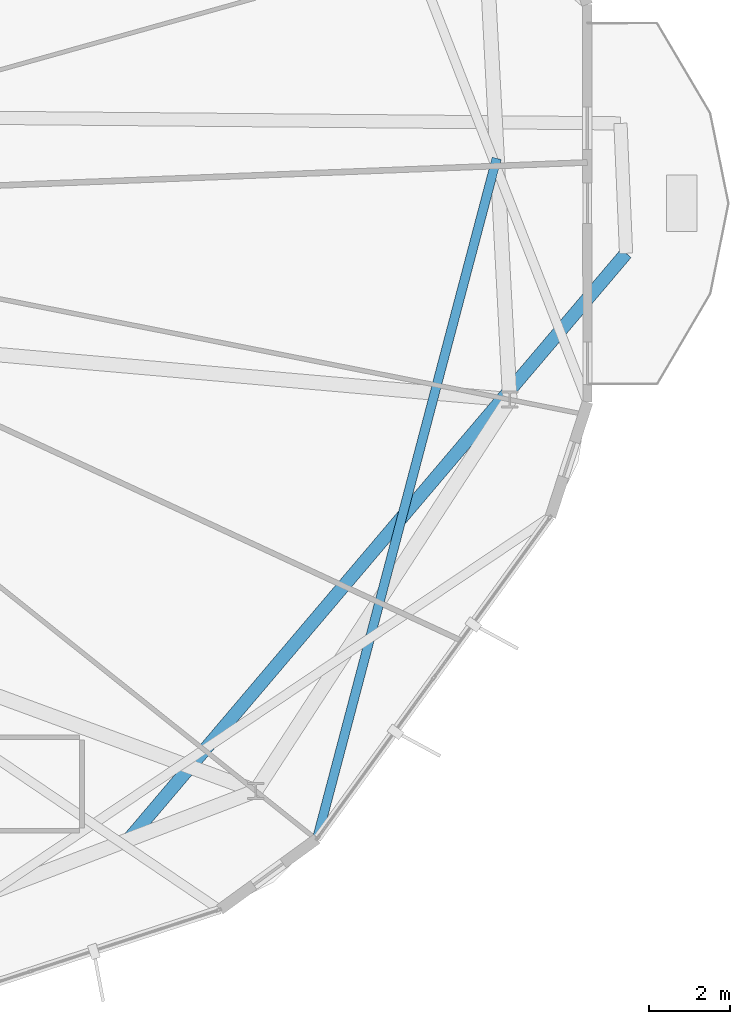
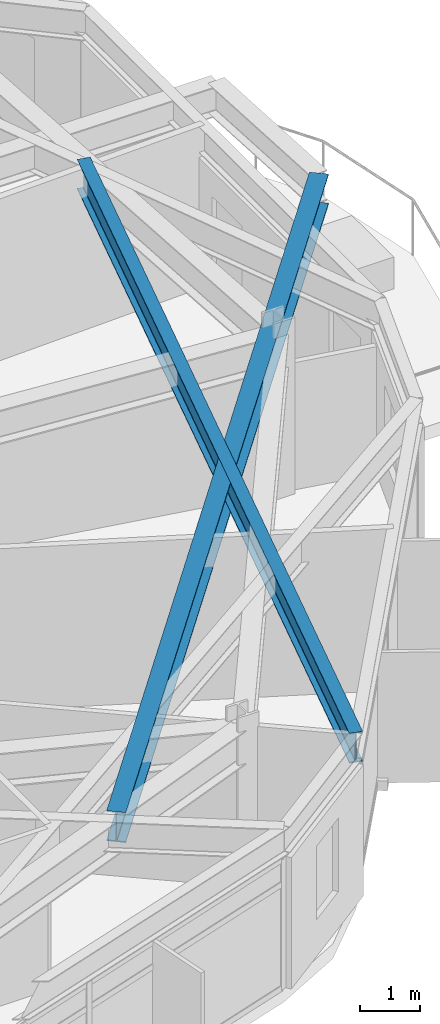
# One storey, part 14 of 31: 2 beams.
"""IFC4 building model written with IfcOpenShell, lengths in metres."""

from ifc_helpers import new_model, si_unit, direction, frame, origin, origin_2d, place, context, subcontext, project, spatial, i_section, extrude, material, material_profile, profile_set, type_object, element, save


model = new_model("IFC4")

# Units and contexts
model_context = context("Model", 3, precision=1e-05, world=origin(), true_north=direction((0.0, 1.0)))
body_context = subcontext(model_context, "Body", "Model", "MODEL_VIEW")
ifc_project = project(units=[si_unit("LENGTHUNIT", "METRE"), si_unit("AREAUNIT", "SQUARE_METRE"), si_unit("VOLUMEUNIT", "CUBIC_METRE"), si_unit("PLANEANGLEUNIT", "RADIAN"), si_unit("MASSUNIT", "GRAM", prefix="KILO")], contexts=[model_context])

# Site, building, storey
site_placement = place(None, origin())
site = spatial("IfcSite", under=ifc_project, at=site_placement, CompositionType="ELEMENT")
building_placement = place(site_placement, origin())
building = spatial("IfcBuilding", under=site, at=building_placement, Name="Soratama Intermodal Tower", CompositionType="ELEMENT")
storey_placement = place(building_placement, frame((0.0, 0.0, 230.199951171875)))
storey = spatial("IfcBuildingStorey", under=building, at=storey_placement, Name="L58", CompositionType="ELEMENT", Elevation=230.199951171875)

# Beams
ifc_material_1 = material(Name="Structural steel ASTM A992 Grade 50", Category="steel")
ifc_material_profile_1 = material_profile(ifc_material_1, i_section(OverallWidth=0.324951171875, OverallDepth=0.615966796875, WebThickness=0.013916015625, FlangeThickness=0.021484375, FilletRadius=0.013916015625, at=origin_2d()), Name="W24X117")
ifc_profile_set_1 = profile_set([ifc_material_profile_1], Name="Structural steel ASTM A992 Grade 50")
beam_type_1 = type_object("IfcBeamType", Name="BM-CANT-W24X117", PredefinedType="BEAM", material=ifc_profile_set_1)
beam_1_placement = place(storey_placement, frame((53.592041015625, 9.37109375, 2.991943359375), z_axis=(0.647098203252, 0.762406660089, 0.0), x_axis=(-0.762406660089, 0.647098203252, 0.0)))
element("IfcBeam", 1, at=beam_1_placement, inside=storey, type_object=beam_type_1, Name="BM-L58-CANT-1-1", PredefinedType="BEAM", context=body_context, shape_type="SweptSolid", body=[
    extrude(i_section(OverallWidth=0.324951171875, OverallDepth=0.615966796875, WebThickness=0.013916015625, FlangeThickness=0.021484375, FilletRadius=0.013916015625, at=origin_2d()), origin(), (0.0, 0.0, 1.0), 18.91357421875),
])
ifc_material_2 = material(Name="Structural steel ASTM A992 Grade 50", Category="steel")
ifc_material_profile_2 = material_profile(ifc_material_2, i_section(OverallWidth=0.22900390625, OverallDepth=0.612060546875, WebThickness=0.011962890625, FlangeThickness=0.01953125, FilletRadius=0.012939453125, at=origin_2d()), Name="W24X84")
ifc_profile_set_2 = profile_set([ifc_material_profile_2], Name="Structural steel ASTM A992 Grade 50")
beam_type_2 = type_object("IfcBeamType", Name="BM-TIE-W24X84", PredefinedType="BEAM", material=ifc_profile_set_2)
beam_2_placement = place(storey_placement, frame((62.64208984375, 26.131103515625, 2.994140625), z_axis=(-0.255164865898, -0.966897559833, 0.0), x_axis=(0.966897559833, -0.255164865898, 0.0)))
element("IfcBeam", 2, at=beam_2_placement, inside=storey, type_object=beam_type_2, Name="BM-L58-TIE0-08", PredefinedType="BEAM", context=body_context, shape_type="SweptSolid", body=[
    extrude(i_section(OverallWidth=0.22900390625, OverallDepth=0.612060546875, WebThickness=0.011962890625, FlangeThickness=0.01953125, FilletRadius=0.012939453125, at=origin_2d()), origin(), (0.0, 0.0, 1.0), 17.338134765625),
])

save(model, "model.ifc")
